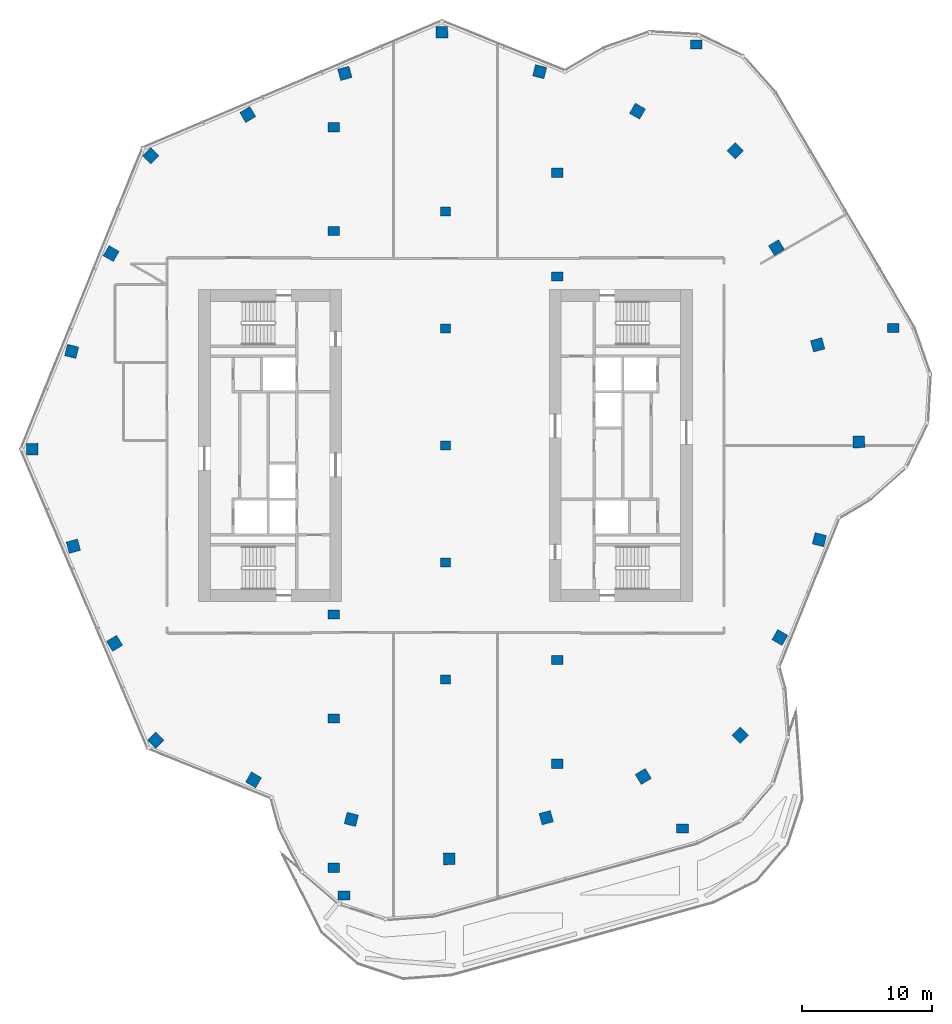
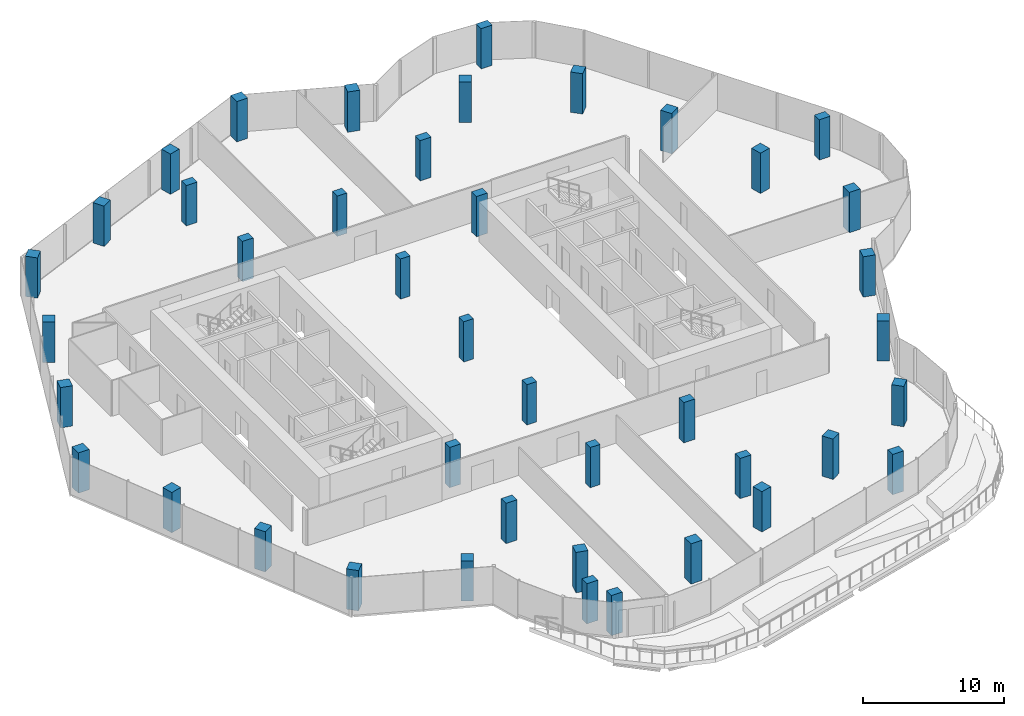
# One storey, part 1 of 16: 42 columns.
"""IFC4 building model written with IfcOpenShell, lengths in metres."""

import ifcopenshell
import ifcopenshell.guid

model = None  # the IFC model being written
_history = None  # IfcOwnerHistory: only IFC2X3 demands one
_inside = {}  # id of a spatial element -> (the spatial element, [elements in it])
_under = {}  # id of a project, library or spatial element -> (it, [spatial elements below it])
_declared = {}  # id of a project -> (the project, [libraries it declares])
_typed = {}  # id of a type object -> (the type object, [elements of that type])
_made_of = {}  # id of a material, layer set ... -> (it, [elements and type objects made of it])


def new_model(schema):
    """Start an empty IFC model of exactly this schema.

    Asked for "IFC4X3", IfcOpenShell would pick the latest addendum, in which some entities
    have other attributes; the version numbers below select the first issue.
    IFC2X3 requires an IfcOwnerHistory on every rooted entity: one is made here for all.
    """
    global model, _history
    if schema == "IFC4X3":
        model = ifcopenshell.file(schema_version=(4, 3, 0, 0))
    else:
        model = ifcopenshell.file(schema=schema)
    _inside.clear()
    _under.clear()
    _declared.clear()
    _typed.clear()
    _made_of.clear()
    _history = None
    if model.schema == "IFC2X3":
        org = make("IfcOrganization", Name="unknown")
        user = make(
            "IfcPersonAndOrganization",
            ThePerson=make("IfcPerson", FamilyName="unknown"),
            TheOrganization=org,
        )
        app = make(
            "IfcApplication",
            ApplicationDeveloper=org,
            Version="unknown",
            ApplicationFullName="unknown",
            ApplicationIdentifier="unknown",
        )
        _history = make(
            "IfcOwnerHistory",
            OwningUser=user,
            OwningApplication=app,
            ChangeAction="ADDED",
            CreationDate=0,
        )
    return model


def make(cls, **values):
    """One entity of the class cls with the attributes given. An attribute that is None is left unset."""
    return model.create_entity(
        cls, **{name: value for name, value in values.items() if value is not None}
    )


def rooted(cls, **values):
    """An entity with a GlobalId (a new one), such as an element, a storey or a relation."""
    return make(cls, GlobalId=ifcopenshell.guid.new(), OwnerHistory=_history, **values)


def si_unit(unit_type, name, prefix=None):
    """IfcSIUnit, for example si_unit("LENGTHUNIT", "METRE", prefix="MILLI")."""
    return make("IfcSIUnit", UnitType=unit_type, Prefix=prefix, Name=name)


def assignment(units):
    """IfcUnitAssignment: the units of a project."""
    return None if units is None else make("IfcUnitAssignment", Units=units)


def point(xyz):
    """IfcCartesianPoint."""
    return None if xyz is None else make("IfcCartesianPoint", Coordinates=xyz)


def direction(xyz):
    """IfcDirection."""
    return None if xyz is None else make("IfcDirection", DirectionRatios=xyz)


def frame(location, z_axis=None, x_axis=None):
    """IfcAxis2Placement3D, a coordinate frame: its origin and axes. An axis left out is left unset."""
    return make(
        "IfcAxis2Placement3D",
        Location=point(location),
        Axis=direction(z_axis),
        RefDirection=direction(x_axis),
    )


def frame_2d(location, x_axis=None):
    """IfcAxis2Placement2D, a coordinate frame in the plane: its origin and x axis."""
    return make(
        "IfcAxis2Placement2D", Location=point(location), RefDirection=direction(x_axis)
    )


def origin():
    """The frame at (0, 0, 0) with its axes left unset."""
    return frame((0.0, 0.0, 0.0))


def origin_2d():
    """The frame at (0, 0) in the plane with its x axis left unset."""
    return frame_2d((0.0, 0.0))


def place(relative_to, where):
    """IfcLocalPlacement: puts the frame where relative to a parent placement (None: the world)."""
    return make(
        "IfcLocalPlacement", PlacementRelTo=relative_to, RelativePlacement=where
    )


def context(
    kind, dimensions, precision=None, world=None, true_north=None, identifier=None
):
    """IfcGeometricRepresentationContext, for example the 3D "Model" context."""
    return make(
        "IfcGeometricRepresentationContext",
        ContextIdentifier=identifier,
        ContextType=kind,
        CoordinateSpaceDimension=dimensions,
        Precision=precision,
        WorldCoordinateSystem=world,
        TrueNorth=true_north,
    )


def subcontext(parent, identifier, kind, view, scale=None):
    """IfcGeometricRepresentationSubContext, for example "Body" below "Model"."""
    return make(
        "IfcGeometricRepresentationSubContext",
        ContextIdentifier=identifier,
        ContextType=kind,
        ParentContext=parent,
        TargetScale=scale,
        TargetView=view,
    )


def project(units=None, contexts=None):
    """IfcProject with its units and contexts."""
    return rooted(
        "IfcProject",
        Name="project",
        RepresentationContexts=contexts,
        UnitsInContext=assignment(units),
    )


def spatial(cls, under=None, at=None, **own):
    """A site, building, storey or space (cls), placed at a placement, below another one or the project."""
    s = rooted(cls, ObjectPlacement=at, **own)
    if under is not None:
        _under.setdefault(under.id(), (under, []))[1].append(s)
    return s


def profile(cls, at=None, kind="AREA", **sizes):
    """A parametric profile (cls). Its sizes go by their IFC names, for example OverallWidth=200.0."""
    return make(cls, ProfileType=kind, Position=at, **sizes)


def rectangle(**sizes):
    """IfcRectangleProfileDef."""
    return profile("IfcRectangleProfileDef", **sizes)


def extrude(swept, where, along, depth):
    """IfcExtrudedAreaSolid: the profile swept, set in the frame where, extruded along a direction by depth."""
    return make(
        "IfcExtrudedAreaSolid",
        SweptArea=swept,
        Position=where,
        ExtrudedDirection=direction(along),
        Depth=depth,
    )


def shape(context_of_items, identifier, shape_type, items):
    """IfcShapeRepresentation: the items that make up one representation, for example the "Body"."""
    return make(
        "IfcShapeRepresentation",
        ContextOfItems=context_of_items,
        RepresentationIdentifier=identifier,
        RepresentationType=shape_type,
        Items=items,
    )


def material(Name=None, Category=None):
    """IfcMaterial."""
    return make("IfcMaterial", Name=Name, Category=Category)


def material_profile(
    of_material, cross_section, Name=None, Category=None, Priority=None
):
    """IfcMaterialProfile: a cross section and its material."""
    return make(
        "IfcMaterialProfile",
        Name=Name,
        Material=of_material,
        Profile=cross_section,
        Priority=Priority,
        Category=Category,
    )


def profile_set(profiles, Name=None, composite=None):
    """IfcMaterialProfileSet."""
    return make(
        "IfcMaterialProfileSet",
        Name=Name,
        MaterialProfiles=profiles,
        CompositeProfile=composite,
    )


def made_of(thing, what):
    """Note that an element or type object is made of a material, layer set ...; save() writes the relation."""
    if what is not None:
        _made_of.setdefault(what.id(), (what, []))[1].append(thing)
    return thing


def type_object(cls, material=None, **own):
    """A type object (cls), such as IfcWallType, which elements share."""
    return made_of(rooted(cls, **own), material)


def element(
    cls,
    number,
    at=None,
    inside=None,
    cuts=None,
    type_object=None,
    material=None,
    context=None,
    identifier="Body",
    shape_type=None,
    held_by="IfcProductDefinitionShape",
    body=None,
    shapes=None,
    **own,
):
    """One element of the class cls, such as IfcWall. Its Tag is "e" and its number.

    at: its placement. inside: the storey or other place that contains it. cuts: it is an
    opening in that element (IfcRelVoidsElement). A single representation is given by context,
    identifier, shape_type and body (its items); several are given by shapes. held_by: the class
    of the entity that holds the representations. save() writes the other relations.
    """
    e = rooted(cls, Tag="e%d" % number, ObjectPlacement=at, **own)
    if body is not None:
        shapes = [shape(context, identifier, shape_type, body)]
    if shapes is not None:
        e.Representation = make(held_by, Representations=shapes)
    if inside is not None:
        _inside.setdefault(inside.id(), (inside, []))[1].append(e)
    if cuts is not None:
        rooted(
            "IfcRelVoidsElement", RelatingBuildingElement=cuts, RelatedOpeningElement=e
        )
    if type_object is not None:
        _typed.setdefault(type_object.id(), (type_object, []))[1].append(e)
    return made_of(e, material)


def aggregate(whole, parts):
    """IfcRelAggregates: a whole, such as a stair, and the parts it consists of."""
    return rooted("IfcRelAggregates", RelatingObject=whole, RelatedObjects=parts)


def save(model, path):
    """Write the relations noted so far, then the file.

    IfcRelAggregates (storeys below a building ...), IfcRelContainedInSpatialStructure (elements
    in a storey), IfcRelDefinesByType, IfcRelAssociatesMaterial and IfcRelDeclares: one each for
    every whole, place, type object, material and project.
    """
    for whole, parts in _under.values():
        aggregate(whole, parts)
    for where, things in _inside.values():
        rooted(
            "IfcRelContainedInSpatialStructure",
            RelatedElements=things,
            RelatingStructure=where,
        )
    for kind, things in _typed.values():
        rooted("IfcRelDefinesByType", RelatedObjects=things, RelatingType=kind)
    for what, things in _made_of.values():
        rooted("IfcRelAssociatesMaterial", RelatedObjects=things, RelatingMaterial=what)
    for by, libraries in _declared.values():
        rooted("IfcRelDeclares", RelatingContext=by, RelatedDefinitions=libraries)
    model.write(path)


model = new_model("IFC4")

# Units and contexts
model_context = context("Model", 3, precision=1e-05, world=origin(), true_north=direction((0.0, 1.0)))
body_context = subcontext(model_context, "Body", "Model", "MODEL_VIEW")
ifc_project = project(units=[si_unit("LENGTHUNIT", "METRE"), si_unit("AREAUNIT", "SQUARE_METRE"), si_unit("VOLUMEUNIT", "CUBIC_METRE"), si_unit("PLANEANGLEUNIT", "RADIAN"), si_unit("MASSUNIT", "GRAM", prefix="KILO")], contexts=[model_context])

# Site, building, storey
site_placement = place(None, origin())
site = spatial("IfcSite", under=ifc_project, at=site_placement, CompositionType="ELEMENT")
building_placement = place(site_placement, origin())
building = spatial("IfcBuilding", under=site, at=building_placement, Name="Orlundy Tower", CompositionType="ELEMENT")
storey_placement = place(building_placement, frame((0.0, 0.0, 292.89990234375)))
storey = spatial("IfcBuildingStorey", under=building, at=storey_placement, Name="L78", CompositionType="ELEMENT", Elevation=292.89990234375)

# Columns
ifc_material_1 = material(Name="Concrete C50/60", Category="concrete")
ifc_material_profile_1 = material_profile(ifc_material_1, rectangle(XDim=0.800048828125, YDim=0.699951171875, at=origin_2d()), Name="RC800X700")
ifc_profile_set_1 = profile_set([ifc_material_profile_1], Name="Concrete C50/60")
column_type_1 = type_object("IfcColumnType", Name="RC COLUMN RC800X700 C50/60", PredefinedType="COLUMN", material=ifc_profile_set_1)
for number, where, z_axis, x_axis, name in (
    (1, (0.0, -18.0, 0.0), (0.0, 0.0, 1.0), (1.0, 0.0, 0.0), "Column C-M1 L78"),
    (2, (0.0, -9.0, 0.0), (0.0, 0.0, 1.0), (1.0, 0.0, 0.0), "Column C-M2 L78"),
    (3, (0.0, 0.0, 0.0), (0.0, 0.0, 1.0), (1.0, 0.0, 0.0), "Column C-M3 L78"),
    (4, (0.0, 9.0, 0.0), (0.0, 0.0, 1.0), (1.0, 0.0, 0.0), "Column C-M4 L78"),
    (5, (0.0, 18.0, 0.0), (0.0, 0.0, 1.0), (1.0, 0.0, 0.0), "Column C-M5 L78"),
):
    element("IfcColumn", number, at=place(storey_placement, frame(where, z_axis=z_axis, x_axis=x_axis)), inside=storey, type_object=column_type_1, Name=name, PredefinedType="COLUMN", context=body_context, shape_type="SweptSolid", body=[
        extrude(rectangle(XDim=0.800048828125, YDim=0.699951171875, at=origin_2d()), origin(), (0.0, 0.0, 1.0), 3.5),
    ])
ifc_material_2 = material(Name="Concrete C50/60", Category="concrete")
ifc_material_profile_2 = material_profile(ifc_material_2, rectangle(XDim=0.89990234375, YDim=0.699951171875, at=origin_2d()), Name="RC900X700")
ifc_profile_set_2 = profile_set([ifc_material_profile_2], Name="Concrete C50/60")
column_type_2 = type_object("IfcColumnType", Name="RC COLUMN RC900X700 C50/60", PredefinedType="COLUMN", material=ifc_profile_set_2)
for number, where, z_axis, x_axis, name in (
    (6, (34.47705078125, 9.051025390625, 0.0), (0.0, 0.0, 1.0), (1.0, 0.0, 0.0), "Column C-A2-6 L78"),
    (7, (19.302001953125, 30.860107421875, 0.0), (0.0, 0.0, 1.0), (1.0, 0.0, 0.0), "Column C-A5-6 L78"),
    (8, (-7.820068359375, -34.64306640625, 0.0), (0.0, 0.0, 1.0), (1.0, 0.0, 0.0), "Column C-B1-6 L78"),
    (9, (18.24609375, -29.4970703125, 0.0), (0.0, 0.0, 1.0), (1.0, 0.0, 0.0), "Column C-B4-6 L78"),
    (10, (8.60009765625, -24.5, 0.0), (0.0, 0.0, 1.0), (1.0, 0.0, 0.0), "Column C-SE2 L78"),
    (11, (8.60009765625, -16.5, 0.0), (0.0, 0.0, 1.0), (1.0, 0.0, 0.0), "Column C-SE3 L78"),
    (12, (8.60009765625, 13.0, 0.0), (0.0, 0.0, 1.0), (1.0, 0.0, 0.0), "Column C-SE4 L78"),
    (13, (8.60009765625, 21.0, 0.0), (0.0, 0.0, 1.0), (1.0, 0.0, 0.0), "Column C-SE5 L78"),
    (14, (-8.60009765625, 24.5, 0.0), (0.0, 0.0, 1.0), (1.0, 0.0, 0.0), "Column C-SW1 L78"),
    (15, (-8.60009765625, 16.5, 0.0), (0.0, 0.0, 1.0), (1.0, 0.0, 0.0), "Column C-SW2 L78"),
    (16, (-8.60009765625, -13.0, 0.0), (0.0, 0.0, 1.0), (1.0, 0.0, 0.0), "Column C-SW3 L78"),
    (17, (-8.60009765625, -21.0, 0.0), (0.0, 0.0, 1.0), (1.0, 0.0, 0.0), "Column C-SW4 L78"),
    (18, (-8.60009765625, -32.5, 0.0), (0.0, 0.0, 1.0), (1.0, 0.0, 0.0), "Column C-SW5 L78"),
):
    element("IfcColumn", number, at=place(storey_placement, frame(where, z_axis=z_axis, x_axis=x_axis)), inside=storey, type_object=column_type_2, Name=name, PredefinedType="COLUMN", context=body_context, shape_type="SweptSolid", body=[
        extrude(rectangle(XDim=0.89990234375, YDim=0.699951171875, at=origin_2d()), origin(), (0.0, 0.0, 1.0), 3.5),
    ])
ifc_material_3 = material(Name="Concrete C50/60", Category="concrete")
ifc_material_profile_3 = material_profile(ifc_material_3, rectangle(XDim=0.89990234375, YDim=0.89990234375, at=origin_2d()), Name="RC900X900")
ifc_profile_set_3 = profile_set([ifc_material_profile_3], Name="Concrete C50/60")
column_type_3 = type_object("IfcColumnType", Name="RC COLUMN RC900X900 C50/60", PredefinedType="COLUMN", material=ifc_profile_set_3)
for number, where, z_axis, x_axis, name in (
    (19, (-0.278076171875, 31.821044921875, 0.0), (0.0, 0.0, 1.0), (-0.008743988125, 0.999961770605, 0.0), "Column C-H01 L78"),
    (20, (7.25, 28.780029296875, 0.0), (0.0, 0.0, 1.0), (0.244275126238, 0.969705967137, 0.0), "Column C-H02 L78"),
    (21, (14.777099609375, 25.739013671875, 0.0), (0.0, 0.0, 1.0), (0.49789754642, 0.867235857924, 0.0), "Column C-H03 L78"),
    (22, (22.304931640625, 22.697021484375, 0.0), (0.0, 0.0, 1.0), (0.700921712762, 0.713238215871, 0.0), "Column C-H04 L78"),
    (23, (25.47705078125, 15.22412109375, 0.0), (0.0, 0.0, 1.0), (0.858414263358, 0.512957066881, 0.0), "Column C-H05 L78"),
    (24, (28.64892578125, 7.7509765625, 0.0), (0.0, 0.0, 1.0), (0.965295087436, 0.261161624617, 0.0), "Column C-H06 L78"),
    (25, (31.821044921875, 0.278076171875, 0.0), (0.0, 0.0, 1.0), (0.999961770605, 0.008743988125, 0.0), "Column C-H07 L78"),
    (26, (28.780029296875, -7.25, 0.0), (0.0, 0.0, 1.0), (0.969705967137, -0.244275126238, 0.0), "Column C-H08 L78"),
    (27, (25.739013671875, -14.777099609375, 0.0), (0.0, 0.0, 1.0), (0.867235857924, -0.49789754642, 0.0), "Column C-H09 L78"),
    (28, (22.697021484375, -22.304931640625, 0.0), (0.0, 0.0, 1.0), (0.713238215871, -0.700921712762, 0.0), "Column C-H10 L78"),
    (29, (15.22412109375, -25.47705078125, 0.0), (0.0, 0.0, 1.0), (0.512957066881, -0.858414263358, 0.0), "Column C-H11 L78"),
    (30, (7.7509765625, -28.64892578125, 0.0), (0.0, 0.0, 1.0), (0.261161624617, -0.965295087436, 0.0), "Column C-H12 L78"),
    (31, (0.278076171875, -31.821044921875, 0.0), (0.0, 0.0, 1.0), (0.008743988125, -0.999961770605, 0.0), "Column C-H13 L78"),
    (32, (-7.25, -28.780029296875, 0.0), (0.0, 0.0, 1.0), (-0.244275126238, -0.969705967137, 0.0), "Column C-H14 L78"),
    (33, (-14.777099609375, -25.739013671875, 0.0), (0.0, 0.0, 1.0), (-0.49789754642, -0.867235857924, 0.0), "Column C-H15 L78"),
    (34, (-22.304931640625, -22.697021484375, 0.0), (0.0, 0.0, 1.0), (-0.700921712762, -0.713238215871, 0.0), "Column C-H16 L78"),
    (35, (-25.47705078125, -15.22412109375, 0.0), (0.0, 0.0, 1.0), (-0.858414263358, -0.512957066881, 0.0), "Column C-H17 L78"),
    (36, (-28.64892578125, -7.7509765625, 0.0), (0.0, 0.0, 1.0), (-0.965295087436, -0.261161624617, 0.0), "Column C-H18 L78"),
    (37, (-31.821044921875, -0.278076171875, 0.0), (0.0, 0.0, 1.0), (-0.999961770605, -0.008743988125, 0.0), "Column C-H19 L78"),
    (38, (-28.780029296875, 7.25, 0.0), (0.0, 0.0, 1.0), (-0.969705967137, 0.244275126238, 0.0), "Column C-H20 L78"),
    (39, (-25.739013671875, 14.777099609375, 0.0), (0.0, 0.0, 1.0), (-0.867235857924, 0.49789754642, 0.0), "Column C-H21 L78"),
    (40, (-22.697021484375, 22.304931640625, 0.0), (0.0, 0.0, 1.0), (-0.713238215871, 0.700921712762, 0.0), "Column C-H22 L78"),
    (41, (-15.22412109375, 25.47705078125, 0.0), (0.0, 0.0, 1.0), (-0.512957066881, 0.858414263358, 0.0), "Column C-H23 L78"),
    (42, (-7.7509765625, 28.64892578125, 0.0), (0.0, 0.0, 1.0), (-0.261161624617, 0.965295087436, 0.0), "Column C-H24 L78"),
):
    element("IfcColumn", number, at=place(storey_placement, frame(where, z_axis=z_axis, x_axis=x_axis)), inside=storey, type_object=column_type_3, Name=name, PredefinedType="COLUMN", context=body_context, shape_type="SweptSolid", body=[
        extrude(rectangle(XDim=0.89990234375, YDim=0.89990234375, at=origin_2d()), origin(), (0.0, 0.0, 1.0), 3.5),
    ])

save(model, "model.ifc")
